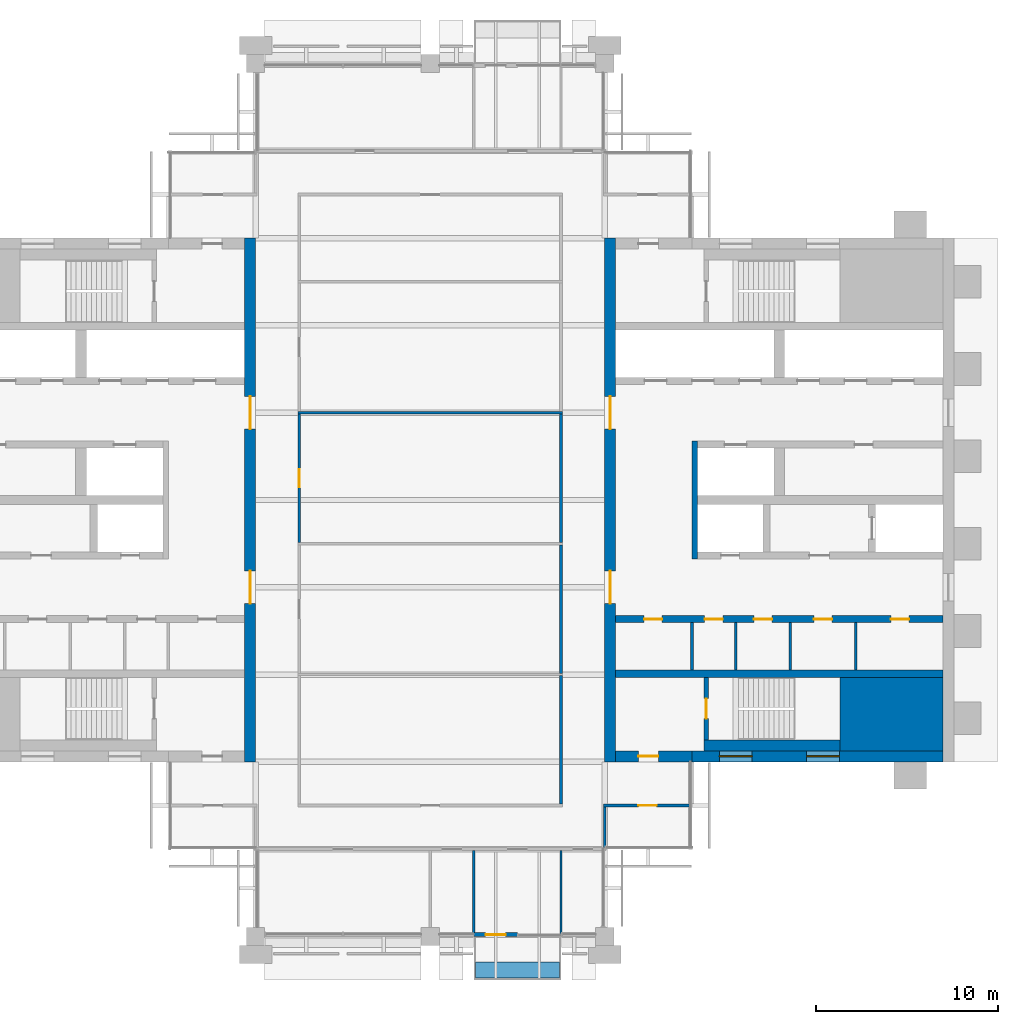
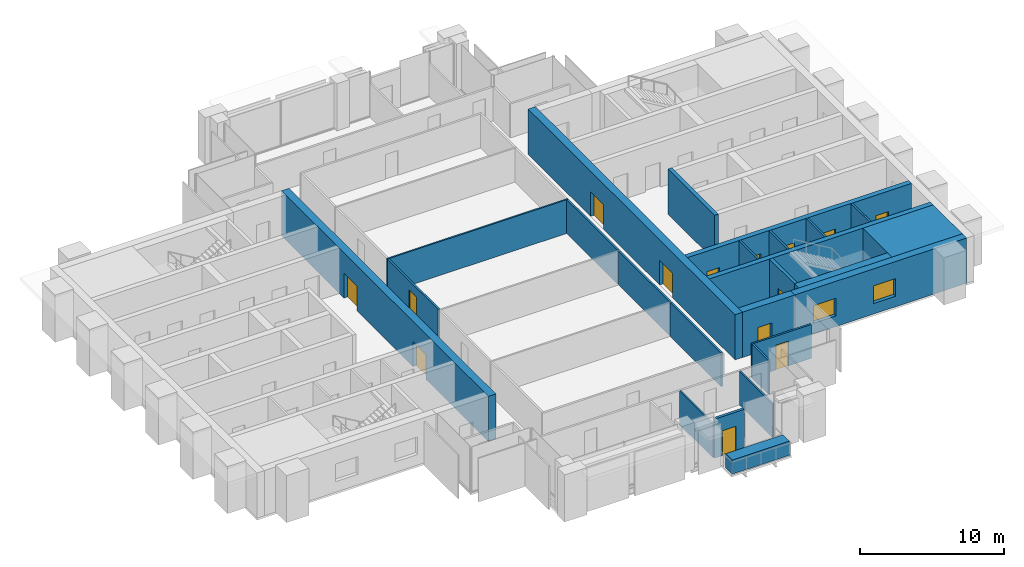
# One storey, part 9 of 13: 25 walls, 14 doors, 2 windows, 16 openings.
"""IFC4 building model written with IfcOpenShell, lengths in metres."""

from ifc_helpers import new_model, si_unit, direction, frame, frame_2d, origin, place, context, subcontext, project, spatial, rectangle, extrude, material, layer, layer_set, type_object, element, fill, save


model = new_model("IFC4")

# Units and contexts
model_context = context("Model", 3, precision=1e-05, world=origin(), true_north=direction((0.0, 1.0)))
body_context = subcontext(model_context, "Body", "Model", "MODEL_VIEW")
ifc_project = project(units=[si_unit("LENGTHUNIT", "METRE"), si_unit("AREAUNIT", "SQUARE_METRE"), si_unit("VOLUMEUNIT", "CUBIC_METRE"), si_unit("PLANEANGLEUNIT", "RADIAN"), si_unit("MASSUNIT", "GRAM", prefix="KILO")], contexts=[model_context])

# Site, building, storey
site_placement = place(None, origin())
site = spatial("IfcSite", under=ifc_project, at=site_placement, CompositionType="ELEMENT")
building_placement = place(site_placement, origin())
building = spatial("IfcBuilding", under=site, at=building_placement, Name="Baori Bourse Tower", CompositionType="ELEMENT")
storey_placement = place(building_placement, frame((0.0, 0.0, 326.300048828125)))
storey = spatial("IfcBuildingStorey", under=building, at=storey_placement, Name="L72", CompositionType="ELEMENT", Elevation=326.300048828125)

# Walls
ifc_material_1 = material(Name="Concrete f'c 40 MPa", Category="concrete")
wall_type_1 = type_object("IfcWallType", Name="Core corner block f'c 40", PredefinedType="SHEAR", material=ifc_material_1)
wall_1_placement = place(storey_placement, frame((51.35009765625, 12.22509765625, 0.0), z_axis=(0.0, 0.0, 1.0), x_axis=(1.0, 0.0, 0.0)))
element("IfcWall", 1, at=wall_1_placement, inside=storey, type_object=wall_type_1, Name="Core wall E05", PredefinedType="SHEAR", context=body_context, shape_type="SweptSolid", body=[
    extrude(rectangle(XDim=5.64990234375, YDim=4.050048828125, at=frame_2d((2.824951171875, 0.0))), origin(), (0.0, 0.0, 1.0), 3.83984375),
])
ifc_material_2 = material(Name="Blockwork partition", Category="masonry")
ifc_layer_1 = layer(ifc_material_2, 0.14990234375)
ifc_layer_set_1 = layer_set([ifc_layer_1], Name="Core partition 150")
wall_type_2 = type_object("IfcWallType", Name="Core partition 150", PredefinedType="PARTITIONING", material=ifc_layer_set_1)
for number, where, z_axis, x_axis, name in (
    (2, (52.199951171875, 14.64990234375, 0.0), (0.0, 0.0, 1.0), (0.0, 1.0, 0.0), "Partition wall E09"),
    (3, (48.60009765625, 14.64990234375, 0.0), (0.0, 0.0, 1.0), (0.0, 1.0, 0.0), "Partition wall E10"),
    (4, (45.60009765625, 14.64990234375, 0.0), (0.0, 0.0, 1.0), (0.0, 1.0, 0.0), "Partition wall E11"),
    (5, (43.199951171875, 14.64990234375, 0.0), (0.0, 0.0, 1.0), (0.0, 1.0, 0.0), "Partition wall E12"),
):
    element("IfcWall", number, at=place(storey_placement, frame(where, z_axis=z_axis, x_axis=x_axis)), inside=storey, type_object=wall_type_2, Name=name, PredefinedType="PARTITIONING", context=body_context, shape_type="SweptSolid", body=[
        extrude(rectangle(XDim=2.60009765625, YDim=0.14990234375, at=frame_2d((1.300048828125, 0.0))), origin(), (0.0, 0.0, 1.0), 3.83984375),
    ])

# Wall, openings, doors
ifc_material_3 = material(Name="Concrete f'c 40 MPa", Category="concrete")
ifc_layer_2 = layer(ifc_material_3, 0.60009765625)
ifc_layer_set_2 = layer_set([ifc_layer_2], Name="Core wall 600 f'c 40")
wall_type_3 = type_object("IfcWallType", Name="Core wall 600 f'c 40", PredefinedType="SHEAR", material=ifc_layer_set_2)
wall_2_placement = place(storey_placement, frame((18.89990234375, 38.39990234375, 0.0), z_axis=(0.0, 0.0, 1.0), x_axis=(0.0, -1.0, 0.0)))
wall_2 = element("IfcWall", 6, at=wall_2_placement, inside=storey, type_object=wall_type_3, Name="Core wall W04", PredefinedType="SHEAR", context=body_context, shape_type="SweptSolid", body=[
    extrude(rectangle(XDim=28.7998046875, YDim=0.60009765625, at=frame_2d((14.39990234375, 0.0))), origin(), (0.0, 0.0, 1.0), 3.83984375),
])
opening_1_placement = place(wall_2_placement, frame((18.300048828125, 0.0, 0.0)))
opening_1 = element("IfcOpeningElement", 7, at=opening_1_placement, cuts=wall_2, Name="Opening L72-D107", PredefinedType="OPENING", context=body_context, shape_type="SweptSolid", body=[
    extrude(rectangle(XDim=1.800048828125, YDim=2.10009765625, at=frame_2d((0.89990234375, 1.050048828125))), frame((0.0, 0.31005859375, 0.0), z_axis=(0.0, -1.0, 0.0), x_axis=(1.0, 0.0, 0.0)), (0.0, 0.0, 1.0), 0.6201171875),
])
opening_2_placement = place(wall_2_placement, frame((8.699951171875, 0.0, 0.0)))
opening_2 = element("IfcOpeningElement", 8, at=opening_2_placement, cuts=wall_2, Name="Opening L72-D108", PredefinedType="OPENING", context=body_context, shape_type="SweptSolid", body=[
    extrude(rectangle(XDim=1.800048828125, YDim=2.10009765625, at=frame_2d((0.89990234375, 1.050048828125))), frame((0.0, 0.31005859375, 0.0), z_axis=(0.0, -1.0, 0.0), x_axis=(1.0, 0.0, 0.0)), (0.0, 0.0, 1.0), 0.6201171875),
])
ifc_material_4 = material(Name="Painted steel door", Category="steel")
door_type_1 = type_object("IfcDoorType", Name="Core lobby door 1800", OperationType="DOUBLE_DOOR_SINGLE_SWING", PredefinedType="DOOR", material=ifc_material_4)
door_1_placement = place(opening_1_placement, origin())
door_1 = element("IfcDoor", 9, at=door_1_placement, inside=storey, type_object=door_type_1, Name="Lobby door W L72", OperationType="DOUBLE_DOOR_SINGLE_SWING", OverallHeight=2.10009765625, OverallWidth=1.800048828125, PredefinedType="DOOR", context=body_context, shape_type="SweptSolid", body=[
    extrude(rectangle(XDim=1.800048828125, YDim=2.10009765625, at=frame_2d((0.89990234375, 1.050048828125))), frame((0.0, 0.02490234375, 0.0), z_axis=(0.0, -1.0, 0.0), x_axis=(1.0, 0.0, 0.0)), (0.0, 0.0, 1.0), 0.050048828125),
])
fill(opening_1, door_1)
door_2_placement = place(opening_2_placement, origin())
door_2 = element("IfcDoor", 10, at=door_2_placement, inside=storey, type_object=door_type_1, Name="Lobby door W L72", OperationType="DOUBLE_DOOR_SINGLE_SWING", OverallHeight=2.10009765625, OverallWidth=1.800048828125, PredefinedType="DOOR", context=body_context, shape_type="SweptSolid", body=[
    extrude(rectangle(XDim=1.800048828125, YDim=2.10009765625, at=frame_2d((0.89990234375, 1.050048828125))), frame((0.0, 0.02490234375, 0.0), z_axis=(0.0, -1.0, 0.0), x_axis=(1.0, 0.0, 0.0)), (0.0, 0.0, 1.0), 0.050048828125),
])
fill(opening_2, door_2)

# Wall, openings, windows
wall_3_placement = place(storey_placement, frame((57.0, 9.89990234375, 0.0), z_axis=(0.0, 0.0, 1.0), x_axis=(-1.0, 0.0, 0.0)))
wall_3 = element("IfcWall", 11, at=wall_3_placement, inside=storey, type_object=wall_type_3, Name="Core wall E02", PredefinedType="SHEAR", context=body_context, shape_type="SweptSolid", body=[
    extrude(rectangle(XDim=13.800048828125, YDim=0.60009765625, at=frame_2d((6.89990234375, 0.0))), origin(), (0.0, 0.0, 1.0), 3.83984375),
])
opening_3_placement = place(wall_3_placement, frame((5.699951171875, 0.0, 0.89990234375)))
opening_3 = element("IfcOpeningElement", 12, at=opening_3_placement, cuts=wall_3, Name="Opening L72-KW203", PredefinedType="OPENING", context=body_context, shape_type="SweptSolid", body=[
    extrude(rectangle(XDim=1.800048828125, YDim=1.5, at=frame_2d((0.89990234375, 0.75))), frame((0.0, 0.31005859375, 0.0), z_axis=(0.0, -1.0, 0.0), x_axis=(1.0, 0.0, 0.0)), (0.0, 0.0, 1.0), 0.6201171875),
])
opening_4_placement = place(wall_3_placement, frame((10.5, 0.0, 0.89990234375)))
opening_4 = element("IfcOpeningElement", 13, at=opening_4_placement, cuts=wall_3, Name="Opening L72-KW204", PredefinedType="OPENING", context=body_context, shape_type="SweptSolid", body=[
    extrude(rectangle(XDim=1.800048828125, YDim=1.5, at=frame_2d((0.89990234375, 0.75))), frame((0.0, 0.31005859375, 0.0), z_axis=(0.0, -1.0, 0.0), x_axis=(1.0, 0.0, 0.0)), (0.0, 0.0, 1.0), 0.6201171875),
])
ifc_material_5 = material(Name="Pale anodised aluminium", Category="aluminium")
window_type = type_object("IfcWindowType", Name="Stair window 1800 x 1500", PartitioningType="SINGLE_PANEL", PredefinedType="WINDOW", material=ifc_material_5)
window_1_placement = place(opening_3_placement, origin())
window_1 = element("IfcWindow", 14, at=window_1_placement, inside=storey, type_object=window_type, Name="Stair window E L72 3", OverallHeight=1.5, OverallWidth=1.800048828125, PartitioningType="SINGLE_PANEL", PredefinedType="WINDOW", context=body_context, shape_type="SweptSolid", body=[
    extrude(rectangle(XDim=1.800048828125, YDim=1.5, at=frame_2d((0.89990234375, 0.75))), frame((0.0, 0.030029296875, 0.0), z_axis=(0.0, -1.0, 0.0), x_axis=(1.0, 0.0, 0.0)), (0.0, 0.0, 1.0), 0.06005859375),
])
fill(opening_3, window_1)
window_2_placement = place(opening_4_placement, origin())
window_2 = element("IfcWindow", 15, at=window_2_placement, inside=storey, type_object=window_type, Name="Stair window E L72 4", OverallHeight=1.5, OverallWidth=1.800048828125, PartitioningType="SINGLE_PANEL", PredefinedType="WINDOW", context=body_context, shape_type="SweptSolid", body=[
    extrude(rectangle(XDim=1.800048828125, YDim=1.5, at=frame_2d((0.89990234375, 0.75))), frame((0.0, 0.030029296875, 0.0), z_axis=(0.0, -1.0, 0.0), x_axis=(1.0, 0.0, 0.0)), (0.0, 0.0, 1.0), 0.06005859375),
])
fill(opening_4, window_2)

# Wall, opening, door
wall_4_placement = place(storey_placement, frame((43.199951171875, 9.89990234375, 0.0), z_axis=(0.0, 0.0, 1.0), x_axis=(-1.0, 0.0, 0.0)))
wall_4 = element("IfcWall", 16, at=wall_4_placement, inside=storey, type_object=wall_type_3, Name="Core wall E03", PredefinedType="SHEAR", context=body_context, shape_type="SweptSolid", body=[
    extrude(rectangle(XDim=4.199951171875, YDim=0.60009765625, at=frame_2d((2.10009765625, 0.0))), origin(), (0.0, 0.0, 1.0), 3.83984375),
])
opening_5_placement = place(wall_4_placement, frame((1.85009765625, 0.0, 0.0)))
opening_5 = element("IfcOpeningElement", 17, at=opening_5_placement, cuts=wall_4, Name="Opening L72-D202", PredefinedType="OPENING", context=body_context, shape_type="SweptSolid", body=[
    extrude(rectangle(XDim=1.10009765625, YDim=2.10009765625, at=frame_2d((0.550048828125, 1.050048828125))), frame((0.0, 0.31005859375, 0.0), z_axis=(0.0, -1.0, 0.0), x_axis=(1.0, 0.0, 0.0)), (0.0, 0.0, 1.0), 0.6201171875),
])
ifc_material_6 = material(Name="Painted steel door", Category="steel")
door_type_2 = type_object("IfcDoorType", Name="Stair door 1100", OperationType="SINGLE_SWING_LEFT", PredefinedType="DOOR", material=ifc_material_6)
door_3_placement = place(opening_5_placement, origin())
door_3 = element("IfcDoor", 18, at=door_3_placement, inside=storey, type_object=door_type_2, Name="Stair vestibule door A E L72", OperationType="SINGLE_SWING_LEFT", OverallHeight=2.10009765625, OverallWidth=1.10009765625, PredefinedType="DOOR", context=body_context, shape_type="SweptSolid", body=[
    extrude(rectangle(XDim=1.10009765625, YDim=2.10009765625, at=frame_2d((0.550048828125, 1.050048828125))), frame((0.0, 0.02490234375, 0.0), z_axis=(0.0, -1.0, 0.0), x_axis=(1.0, 0.0, 0.0)), (0.0, 0.0, 1.0), 0.050048828125),
])
fill(opening_5, door_3)

# Wall, openings, doors
wall_5_placement = place(storey_placement, frame((38.699951171875, 9.60009765625, 0.0), z_axis=(0.0, 0.0, 1.0), x_axis=(0.0, 1.0, 0.0)))
wall_5 = element("IfcWall", 19, at=wall_5_placement, inside=storey, type_object=wall_type_3, Name="Core wall E04", PredefinedType="SHEAR", context=body_context, shape_type="SweptSolid", body=[
    extrude(rectangle(XDim=28.7998046875, YDim=0.60009765625, at=frame_2d((14.39990234375, 0.0))), origin(), (0.0, 0.0, 1.0), 3.83984375),
])
opening_6_placement = place(wall_5_placement, frame((8.699951171875, 0.0, 0.0)))
opening_6 = element("IfcOpeningElement", 20, at=opening_6_placement, cuts=wall_5, Name="Opening L72-D207", PredefinedType="OPENING", context=body_context, shape_type="SweptSolid", body=[
    extrude(rectangle(XDim=1.800048828125, YDim=2.10009765625, at=frame_2d((0.89990234375, 1.050048828125))), frame((0.0, 0.31005859375, 0.0), z_axis=(0.0, -1.0, 0.0), x_axis=(1.0, 0.0, 0.0)), (0.0, 0.0, 1.0), 0.6201171875),
])
opening_7_placement = place(wall_5_placement, frame((18.300048828125, 0.0, 0.0)))
opening_7 = element("IfcOpeningElement", 21, at=opening_7_placement, cuts=wall_5, Name="Opening L72-D208", PredefinedType="OPENING", context=body_context, shape_type="SweptSolid", body=[
    extrude(rectangle(XDim=1.800048828125, YDim=2.10009765625, at=frame_2d((0.89990234375, 1.050048828125))), frame((0.0, 0.31005859375, 0.0), z_axis=(0.0, -1.0, 0.0), x_axis=(1.0, 0.0, 0.0)), (0.0, 0.0, 1.0), 0.6201171875),
])
door_4_placement = place(opening_6_placement, origin())
door_4 = element("IfcDoor", 22, at=door_4_placement, inside=storey, type_object=door_type_1, Name="Lobby door E L72", OperationType="DOUBLE_DOOR_SINGLE_SWING", OverallHeight=2.10009765625, OverallWidth=1.800048828125, PredefinedType="DOOR", context=body_context, shape_type="SweptSolid", body=[
    extrude(rectangle(XDim=1.800048828125, YDim=2.10009765625, at=frame_2d((0.89990234375, 1.050048828125))), frame((0.0, 0.02490234375, 0.0), z_axis=(0.0, -1.0, 0.0), x_axis=(1.0, 0.0, 0.0)), (0.0, 0.0, 1.0), 0.050048828125),
])
fill(opening_6, door_4)
door_5_placement = place(opening_7_placement, origin())
door_5 = element("IfcDoor", 23, at=door_5_placement, inside=storey, type_object=door_type_1, Name="Lobby door E L72", OperationType="DOUBLE_DOOR_SINGLE_SWING", OverallHeight=2.10009765625, OverallWidth=1.800048828125, PredefinedType="DOOR", context=body_context, shape_type="SweptSolid", body=[
    extrude(rectangle(XDim=1.800048828125, YDim=2.10009765625, at=frame_2d((0.89990234375, 1.050048828125))), frame((0.0, 0.02490234375, 0.0), z_axis=(0.0, -1.0, 0.0), x_axis=(1.0, 0.0, 0.0)), (0.0, 0.0, 1.0), 0.050048828125),
])
fill(opening_7, door_5)

# Wall, opening, door
ifc_material_7 = material(Name="Gypsum board partition")
ifc_layer_3 = layer(ifc_material_7, 0.14990234375)
ifc_layer_set_3 = layer_set([ifc_layer_3], Name="Corridor partition 150")
wall_type_4 = type_object("IfcWallType", Name="Corridor partition 150", PredefinedType="PARTITIONING", material=ifc_layer_set_3)
wall_6_placement = place(storey_placement, frame((38.324951171875, 7.199951171875, 0.0), z_axis=(0.0, 0.0, 1.0), x_axis=(1.0, 0.0, 0.0)))
wall_6 = element("IfcWall", 24, at=wall_6_placement, inside=storey, type_object=wall_type_4, Name="Partition", PredefinedType="PARTITIONING", context=body_context, shape_type="SweptSolid", body=[
    extrude(rectangle(XDim=4.775146484375, YDim=0.14990234375, at=frame_2d((2.3876953125, 0.0))), origin(), (0.0, 0.0, 1.0), 2.86962890625),
])
opening_8_placement = place(wall_6_placement, frame((1.925048828125, 0.0, 0.0)))
opening_8 = element("IfcOpeningElement", 25, at=opening_8_placement, cuts=wall_6, Name="Opening L72-D07", PredefinedType="OPENING", context=body_context, shape_type="SweptSolid", body=[
    extrude(rectangle(XDim=1.0, YDim=2.10009765625, at=frame_2d((0.5, 1.050048828125))), frame((0.0, 0.0849609375, 0.0), z_axis=(0.0, -1.0, 0.0), x_axis=(1.0, 0.0, 0.0)), (0.0, 0.0, 1.0), 0.169921875),
])
ifc_material_8 = material(Name="Timber door leaf", Category="wood")
door_type_3 = type_object("IfcDoorType", Name="Door 1000 x 2100", OperationType="SINGLE_SWING_LEFT", PredefinedType="DOOR", material=ifc_material_8)
door_6_placement = place(opening_8_placement, origin())
door_6 = element("IfcDoor", 26, at=door_6_placement, inside=storey, type_object=door_type_3, Name="Door", OperationType="SINGLE_SWING_RIGHT", OverallHeight=2.10009765625, OverallWidth=1.0, PredefinedType="DOOR", context=body_context, shape_type="SweptSolid", body=[
    extrude(rectangle(XDim=1.0, YDim=2.10009765625, at=frame_2d((0.5, 1.050048828125))), frame((0.0, 0.02490234375, 0.0), z_axis=(0.0, -1.0, 0.0), x_axis=(1.0, 0.0, 0.0)), (0.0, 0.0, 1.0), 0.050048828125),
])
fill(opening_8, door_6)

wall_7_placement = place(storey_placement, frame((21.60009765625, 21.66259765625, 0.0), z_axis=(0.0, 0.0, 1.0), x_axis=(0.0, 1.0, 0.0)))
wall_7 = element("IfcWall", 27, at=wall_7_placement, inside=storey, type_object=wall_type_4, Name="Partition", PredefinedType="PARTITIONING", context=body_context, shape_type="SweptSolid", body=[
    extrude(rectangle(XDim=7.074951171875, YDim=0.14990234375, at=frame_2d((3.53759765625, 0.0))), origin(), (0.0, 0.0, 1.0), 2.86962890625),
])
opening_9_placement = place(wall_7_placement, frame((3.03759765625, 0.0, 0.0)))
opening_9 = element("IfcOpeningElement", 28, at=opening_9_placement, cuts=wall_7, Name="Opening L72-D15", PredefinedType="OPENING", context=body_context, shape_type="SweptSolid", body=[
    extrude(rectangle(XDim=1.0, YDim=2.10009765625, at=frame_2d((0.5, 1.050048828125))), frame((0.0, 0.0849609375, 0.0), z_axis=(0.0, -1.0, 0.0), x_axis=(1.0, 0.0, 0.0)), (0.0, 0.0, 1.0), 0.169921875),
])
door_7_placement = place(opening_9_placement, origin())
door_7 = element("IfcDoor", 29, at=door_7_placement, inside=storey, type_object=door_type_3, Name="Door", OperationType="SINGLE_SWING_LEFT", OverallHeight=2.10009765625, OverallWidth=1.0, PredefinedType="DOOR", context=body_context, shape_type="SweptSolid", body=[
    extrude(rectangle(XDim=1.0, YDim=2.10009765625, at=frame_2d((0.5, 1.050048828125))), frame((0.0, 0.02490234375, 0.0), z_axis=(0.0, -1.0, 0.0), x_axis=(1.0, 0.0, 0.0)), (0.0, 0.0, 1.0), 0.050048828125),
])
fill(opening_9, door_7)

# Walls
wall_8_placement = place(storey_placement, frame((36.0, 7.27490234375, 0.0), z_axis=(0.0, 0.0, 1.0), x_axis=(0.0, 1.0, 0.0)))
element("IfcWall", 30, at=wall_8_placement, inside=storey, type_object=wall_type_4, Name="Partition", PredefinedType="PARTITIONING", context=body_context, shape_type="SweptSolid", body=[
    extrude(rectangle(XDim=7.0625, YDim=0.14990234375, at=frame_2d((3.53125, 0.0))), origin(), (0.0, 0.0, 1.0), 2.86962890625),
])
wall_9_placement = place(storey_placement, frame((36.0, 14.46240234375, 0.0), z_axis=(0.0, 0.0, 1.0), x_axis=(0.0, 1.0, 0.0)))
element("IfcWall", 31, at=wall_9_placement, inside=storey, type_object=wall_type_4, Name="Partition", PredefinedType="PARTITIONING", context=body_context, shape_type="SweptSolid", body=[
    extrude(rectangle(XDim=7.0751953125, YDim=0.14990234375, at=frame_2d((3.53759765625, 0.0))), origin(), (0.0, 0.0, 1.0), 2.86962890625),
])
wall_10_placement = place(storey_placement, frame((36.0, 21.66259765625, 0.0), z_axis=(0.0, 0.0, 1.0), x_axis=(0.0, 1.0, 0.0)))
element("IfcWall", 32, at=wall_10_placement, inside=storey, type_object=wall_type_4, Name="Partition", PredefinedType="PARTITIONING", context=body_context, shape_type="SweptSolid", body=[
    extrude(rectangle(XDim=7.074951171875, YDim=0.14990234375, at=frame_2d((3.53759765625, 0.0))), origin(), (0.0, 0.0, 1.0), 2.86962890625),
])
wall_11_placement = place(storey_placement, frame((38.39990234375, 4.875, 0.0), z_axis=(0.0, 0.0, 1.0), x_axis=(0.0, 1.0, 0.0)))
element("IfcWall", 33, at=wall_11_placement, inside=storey, type_object=wall_type_4, Name="Partition", PredefinedType="PARTITIONING", context=body_context, shape_type="SweptSolid", body=[
    extrude(rectangle(XDim=2.25, YDim=0.14990234375, at=frame_2d((1.125, 0.0))), origin(), (0.0, 0.0, 1.0), 2.86962890625),
])

# Wall, opening, door
ifc_material_9 = material(Name="Pale anodised aluminium", Category="aluminium")
ifc_layer_4 = layer(ifc_material_9, 0.199951171875)
ifc_layer_set_4 = layer_set([ifc_layer_4], Name="EW1 External wall bay")
wall_type_5 = type_object("IfcWallType", Name="EW1 External wall bay", PredefinedType="SOLIDWALL", material=ifc_layer_set_4)
wall_12_placement = place(storey_placement, frame((31.199951171875, 0.10009765625, 0.0), z_axis=(0.0, 0.0, 1.0), x_axis=(1.0, 0.0, 0.0)))
wall_12 = element("IfcWall", 34, at=wall_12_placement, inside=storey, type_object=wall_type_5, Name="External wall bay L72 2", PredefinedType="SOLIDWALL", context=body_context, shape_type="SweptSolid", body=[
    extrude(rectangle(XDim=2.400146484375, YDim=0.199951171875, at=frame_2d((1.2001953125, 0.0))), origin(), (0.0, 0.0, 1.0), 3.314208984375),
])
opening_10_placement = place(wall_12_placement, frame((0.64990234375, 0.0, 0.0)))
opening_10 = element("IfcOpeningElement", 35, at=opening_10_placement, cuts=wall_12, Name="Opening L72-D92", PredefinedType="OPENING", context=body_context, shape_type="SweptSolid", body=[
    extrude(rectangle(XDim=1.10009765625, YDim=2.10009765625, at=frame_2d((0.550048828125, 1.050048828125))), frame((0.0, 0.10986328125, 0.0), z_axis=(0.0, -1.0, 0.0), x_axis=(1.0, 0.0, 0.0)), (0.0, 0.0, 1.0), 0.219970703125),
])
ifc_material_10 = material(Name="Pale anodised aluminium", Category="aluminium")
door_type_4 = type_object("IfcDoorType", Name="BL1 Balcony door", OperationType="SINGLE_SWING_LEFT", PredefinedType="DOOR", material=ifc_material_10)
door_8_placement = place(opening_10_placement, origin())
door_8 = element("IfcDoor", 36, at=door_8_placement, inside=storey, type_object=door_type_4, Name="Balcony door L72 2", OperationType="SINGLE_SWING_LEFT", OverallHeight=2.10009765625, OverallWidth=1.10009765625, PredefinedType="DOOR", context=body_context, shape_type="SweptSolid", body=[
    extrude(rectangle(XDim=1.10009765625, YDim=2.10009765625, at=frame_2d((0.550048828125, 1.050048828125))), frame((0.0, 0.02490234375, 0.0), z_axis=(0.0, -1.0, 0.0), x_axis=(1.0, 0.0, 0.0)), (0.0, 0.0, 1.0), 0.050048828125),
])
fill(opening_10, door_8)

# Walls
ifc_material_11 = material(Name="Concrete f'c 40 MPa", Category="concrete")
ifc_layer_5 = layer(ifc_material_11, 0.89990234375)
ifc_layer_set_5 = layer_set([ifc_layer_5], Name="PW1 Planter wall")
wall_type_6 = type_object("IfcWallType", Name="PW1 Planter wall", PredefinedType="USERDEFINED", material=ifc_layer_set_5)
wall_13_placement = place(storey_placement, frame((31.300048828125, -1.85009765625, 0.0), z_axis=(0.0, 0.0, 1.0), x_axis=(1.0, 0.0, 0.0)))
element("IfcWall", 37, at=wall_13_placement, inside=storey, type_object=wall_type_6, Name="Planter balcony S L72 1", ObjectType="PLANTER", PredefinedType="USERDEFINED", context=body_context, shape_type="SweptSolid", body=[
    extrude(rectangle(XDim=4.599853515625, YDim=0.89990234375, at=frame_2d((2.2998046875, 0.0))), origin(), (0.0, 0.0, 1.0), 1.199951171875),
])
ifc_material_12 = material(Name="Gypsum board partition")
ifc_layer_6 = layer(ifc_material_12, 0.125)
ifc_layer_set_6 = layer_set([ifc_layer_6], Name="Partition 125")
wall_type_7 = type_object("IfcWallType", Name="Partition 125", PredefinedType="PARTITIONING", material=ifc_layer_set_6)
wall_14_placement = place(storey_placement, frame((21.52490234375, 28.800048828125, 0.0), z_axis=(0.0, 0.0, 1.0), x_axis=(1.0, 0.0, 0.0)))
element("IfcWall", 38, at=wall_14_placement, inside=storey, type_object=wall_type_7, Name="Partition", PredefinedType="PARTITIONING", context=body_context, shape_type="SweptSolid", body=[
    extrude(rectangle(XDim=14.550048828125, YDim=0.125, at=frame_2d((7.27490234375, 0.0))), origin(), (0.0, 0.0, 1.0), 2.86962890625),
])
for number, where, z_axis, x_axis, name in (
    (39, (31.199951171875, 0.10009765625, 0.0), (0.0, 0.0, 1.0), (0.0, 1.0, 0.0), "Partition"),
    (40, (36.0, 0.10009765625, 0.0), (0.0, 0.0, 1.0), (0.0, 1.0, 0.0), "Partition"),
):
    element("IfcWall", number, at=place(storey_placement, frame(where, z_axis=z_axis, x_axis=x_axis)), inside=storey, type_object=wall_type_7, Name=name, PredefinedType="PARTITIONING", context=body_context, shape_type="SweptSolid", body=[
        extrude(rectangle(XDim=4.625, YDim=0.125, at=frame_2d((2.3125, 0.0))), origin(), (0.0, 0.0, 1.0), 2.86962890625),
    ])

# Wall, opening, door
ifc_material_13 = material(Name="Concrete f'c 40 MPa", Category="concrete")
ifc_layer_7 = layer(ifc_material_13, 0.25)
ifc_layer_set_7 = layer_set([ifc_layer_7], Name="Shaft wall 250 f'c 40")
wall_type_8 = type_object("IfcWallType", Name="Shaft wall 250 f'c 40", PredefinedType="SHEAR", material=ifc_layer_set_7)
wall_15_placement = place(storey_placement, frame((43.97509765625, 10.800048828125, 0.0), z_axis=(0.0, 0.0, 1.0), x_axis=(0.0, 1.0, 0.0)))
wall_15 = element("IfcWall", 41, at=wall_15_placement, inside=storey, type_object=wall_type_8, Name="Core wall E07", PredefinedType="SHEAR", context=body_context, shape_type="SweptSolid", body=[
    extrude(rectangle(XDim=3.449951171875, YDim=0.25, at=frame_2d((1.72509765625, 0.0))), origin(), (0.0, 0.0, 1.0), 3.83984375),
])
opening_11_placement = place(wall_15_placement, frame((1.175048828125, 0.0, 0.0)))
opening_11 = element("IfcOpeningElement", 42, at=opening_11_placement, cuts=wall_15, Name="Opening L72-D201", PredefinedType="OPENING", context=body_context, shape_type="SweptSolid", body=[
    extrude(rectangle(XDim=1.10009765625, YDim=2.10009765625, at=frame_2d((0.550048828125, 1.050048828125))), frame((0.0, 0.135009765625, 0.0), z_axis=(0.0, -1.0, 0.0), x_axis=(1.0, 0.0, 0.0)), (0.0, 0.0, 1.0), 0.27001953125),
])
door_9_placement = place(opening_11_placement, origin())
door_9 = element("IfcDoor", 43, at=door_9_placement, inside=storey, type_object=door_type_2, Name="Stair door A E L72", OperationType="SINGLE_SWING_LEFT", OverallHeight=2.10009765625, OverallWidth=1.10009765625, PredefinedType="DOOR", context=body_context, shape_type="SweptSolid", body=[
    extrude(rectangle(XDim=1.10009765625, YDim=2.10009765625, at=frame_2d((0.550048828125, 1.050048828125))), frame((0.0, 0.02490234375, 0.0), z_axis=(0.0, -1.0, 0.0), x_axis=(1.0, 0.0, 0.0)), (0.0, 0.0, 1.0), 0.050048828125),
])
fill(opening_11, door_9)

# Walls
ifc_material_14 = material(Name="Concrete f'c 40 MPa", Category="concrete")
ifc_layer_8 = layer(ifc_material_14, 0.300048828125)
ifc_layer_set_8 = layer_set([ifc_layer_8], Name="Shaft wall 300 f'c 40")
wall_type_9 = type_object("IfcWallType", Name="Shaft wall 300 f'c 40", PredefinedType="SHEAR", material=ifc_layer_set_8)
wall_16_placement = place(storey_placement, frame((43.35009765625, 20.75, 0.0), z_axis=(0.0, 0.0, 1.0), x_axis=(0.0, 1.0, 0.0)))
element("IfcWall", 44, at=wall_16_placement, inside=storey, type_object=wall_type_9, Name="Core wall E15", PredefinedType="SHEAR", context=body_context, shape_type="SweptSolid", body=[
    extrude(rectangle(XDim=6.5, YDim=0.300048828125, at=frame_2d((3.25, 0.0))), origin(), (0.0, 0.0, 1.0), 3.83984375),
])
ifc_material_15 = material(Name="Concrete f'c 40 MPa", Category="concrete")
ifc_layer_9 = layer(ifc_material_15, 0.39990234375)
ifc_layer_set_9 = layer_set([ifc_layer_9], Name="Shaft wall 400 f'c 40")
wall_type_10 = type_object("IfcWallType", Name="Shaft wall 400 f'c 40", PredefinedType="SHEAR", material=ifc_layer_set_9)
wall_17_placement = place(storey_placement, frame((39.0, 14.449951171875, 0.0), z_axis=(0.0, 0.0, 1.0), x_axis=(1.0, 0.0, 0.0)))
element("IfcWall", 45, at=wall_17_placement, inside=storey, type_object=wall_type_10, Name="Core wall E08", PredefinedType="SHEAR", context=body_context, shape_type="SweptSolid", body=[
    extrude(rectangle(XDim=18.0, YDim=0.39990234375, at=frame_2d((9.0, 0.0))), origin(), (0.0, 0.0, 1.0), 3.83984375),
])

# Wall, openings, doors
wall_18_placement = place(storey_placement, frame((39.0, 17.449951171875, 0.0), z_axis=(0.0, 0.0, 1.0), x_axis=(1.0, 0.0, 0.0)))
wall_18 = element("IfcWall", 46, at=wall_18_placement, inside=storey, type_object=wall_type_10, Name="Core wall E13", PredefinedType="SHEAR", context=body_context, shape_type="SweptSolid", body=[
    extrude(rectangle(XDim=18.0, YDim=0.39990234375, at=frame_2d((9.0, 0.0))), origin(), (0.0, 0.0, 1.0), 3.83984375),
])
opening_12_placement = place(wall_18_placement, frame((15.137451171875, 0.0, 0.0)))
opening_12 = element("IfcOpeningElement", 47, at=opening_12_placement, cuts=wall_18, Name="Opening L72-D209", PredefinedType="OPENING", context=body_context, shape_type="SweptSolid", body=[
    extrude(rectangle(XDim=1.0, YDim=2.10009765625, at=frame_2d((0.5, 1.050048828125))), frame((0.0, 0.2099609375, 0.0), z_axis=(0.0, -1.0, 0.0), x_axis=(1.0, 0.0, 0.0)), (0.0, 0.0, 1.0), 0.419921875),
])
opening_13_placement = place(wall_18_placement, frame((10.89990234375, 0.0, 0.0)))
opening_13 = element("IfcOpeningElement", 48, at=opening_13_placement, cuts=wall_18, Name="Opening L72-D210", PredefinedType="OPENING", context=body_context, shape_type="SweptSolid", body=[
    extrude(rectangle(XDim=1.0, YDim=2.10009765625, at=frame_2d((0.5, 1.050048828125))), frame((0.0, 0.2099609375, 0.0), z_axis=(0.0, -1.0, 0.0), x_axis=(1.0, 0.0, 0.0)), (0.0, 0.0, 1.0), 0.419921875),
])
opening_14_placement = place(wall_18_placement, frame((7.60009765625, 0.0, 0.0)))
opening_14 = element("IfcOpeningElement", 49, at=opening_14_placement, cuts=wall_18, Name="Opening L72-D211", PredefinedType="OPENING", context=body_context, shape_type="SweptSolid", body=[
    extrude(rectangle(XDim=1.0, YDim=2.10009765625, at=frame_2d((0.5, 1.050048828125))), frame((0.0, 0.2099609375, 0.0), z_axis=(0.0, -1.0, 0.0), x_axis=(1.0, 0.0, 0.0)), (0.0, 0.0, 1.0), 0.419921875),
])
opening_15_placement = place(wall_18_placement, frame((4.89990234375, 0.0, 0.0)))
opening_15 = element("IfcOpeningElement", 50, at=opening_15_placement, cuts=wall_18, Name="Opening L72-D212", PredefinedType="OPENING", context=body_context, shape_type="SweptSolid", body=[
    extrude(rectangle(XDim=1.0, YDim=2.10009765625, at=frame_2d((0.5, 1.050048828125))), frame((0.0, 0.2099609375, 0.0), z_axis=(0.0, -1.0, 0.0), x_axis=(1.0, 0.0, 0.0)), (0.0, 0.0, 1.0), 0.419921875),
])
opening_16_placement = place(wall_18_placement, frame((1.5625, 0.0, 0.0)))
opening_16 = element("IfcOpeningElement", 51, at=opening_16_placement, cuts=wall_18, Name="Opening L72-D213", PredefinedType="OPENING", context=body_context, shape_type="SweptSolid", body=[
    extrude(rectangle(XDim=1.0, YDim=2.10009765625, at=frame_2d((0.5, 1.050048828125))), frame((0.0, 0.2099609375, 0.0), z_axis=(0.0, -1.0, 0.0), x_axis=(1.0, 0.0, 0.0)), (0.0, 0.0, 1.0), 0.419921875),
])
ifc_material_16 = material(Name="Painted steel door", Category="steel")
door_type_5 = type_object("IfcDoorType", Name="Core door 1000", OperationType="SINGLE_SWING_LEFT", PredefinedType="DOOR", material=ifc_material_16)
door_10_placement = place(opening_12_placement, origin())
door_10 = element("IfcDoor", 52, at=door_10_placement, inside=storey, type_object=door_type_5, Name="Men'S Wc door E L72", OperationType="SINGLE_SWING_LEFT", OverallHeight=2.10009765625, OverallWidth=1.0, PredefinedType="DOOR", context=body_context, shape_type="SweptSolid", body=[
    extrude(rectangle(XDim=1.0, YDim=2.10009765625, at=frame_2d((0.5, 1.050048828125))), frame((0.0, 0.02490234375, 0.0), z_axis=(0.0, -1.0, 0.0), x_axis=(1.0, 0.0, 0.0)), (0.0, 0.0, 1.0), 0.050048828125),
])
fill(opening_12, door_10)
door_11_placement = place(opening_13_placement, origin())
door_11 = element("IfcDoor", 53, at=door_11_placement, inside=storey, type_object=door_type_5, Name="Women'S Wc door E L72", OperationType="SINGLE_SWING_LEFT", OverallHeight=2.10009765625, OverallWidth=1.0, PredefinedType="DOOR", context=body_context, shape_type="SweptSolid", body=[
    extrude(rectangle(XDim=1.0, YDim=2.10009765625, at=frame_2d((0.5, 1.050048828125))), frame((0.0, 0.02490234375, 0.0), z_axis=(0.0, -1.0, 0.0), x_axis=(1.0, 0.0, 0.0)), (0.0, 0.0, 1.0), 0.050048828125),
])
fill(opening_13, door_11)
door_12_placement = place(opening_15_placement, origin())
door_12 = element("IfcDoor", 54, at=door_12_placement, inside=storey, type_object=door_type_5, Name="Pantry door E L72", OperationType="SINGLE_SWING_LEFT", OverallHeight=2.10009765625, OverallWidth=1.0, PredefinedType="DOOR", context=body_context, shape_type="SweptSolid", body=[
    extrude(rectangle(XDim=1.0, YDim=2.10009765625, at=frame_2d((0.5, 1.050048828125))), frame((0.0, 0.02490234375, 0.0), z_axis=(0.0, -1.0, 0.0), x_axis=(1.0, 0.0, 0.0)), (0.0, 0.0, 1.0), 0.050048828125),
])
fill(opening_15, door_12)
door_13_placement = place(opening_16_placement, origin())
door_13 = element("IfcDoor", 55, at=door_13_placement, inside=storey, type_object=door_type_5, Name="Accessible Wc door E L72", OperationType="SINGLE_SWING_LEFT", OverallHeight=2.10009765625, OverallWidth=1.0, PredefinedType="DOOR", context=body_context, shape_type="SweptSolid", body=[
    extrude(rectangle(XDim=1.0, YDim=2.10009765625, at=frame_2d((0.5, 1.050048828125))), frame((0.0, 0.02490234375, 0.0), z_axis=(0.0, -1.0, 0.0), x_axis=(1.0, 0.0, 0.0)), (0.0, 0.0, 1.0), 0.050048828125),
])
fill(opening_16, door_13)
ifc_material_17 = material(Name="Painted steel door", Category="steel")
door_type_6 = type_object("IfcDoorType", Name="Plant room door 1000", OperationType="SINGLE_SWING_LEFT", PredefinedType="DOOR", material=ifc_material_17)
door_14_placement = place(opening_14_placement, origin())
door_14 = element("IfcDoor", 56, at=door_14_placement, inside=storey, type_object=door_type_6, Name="Electrical Room door E L72", OperationType="SINGLE_SWING_LEFT", OverallHeight=2.10009765625, OverallWidth=1.0, PredefinedType="DOOR", context=body_context, shape_type="SweptSolid", body=[
    extrude(rectangle(XDim=1.0, YDim=2.10009765625, at=frame_2d((0.5, 1.050048828125))), frame((0.0, 0.02490234375, 0.0), z_axis=(0.0, -1.0, 0.0), x_axis=(1.0, 0.0, 0.0)), (0.0, 0.0, 1.0), 0.050048828125),
])
fill(opening_14, door_14)

# Wall
ifc_material_18 = material(Name="Concrete f'c 40 MPa", Category="concrete")
ifc_layer_10 = layer(ifc_material_18, 0.60009765625)
ifc_layer_set_10 = layer_set([ifc_layer_10], Name="Shaft wall 600 f'c 40")
wall_type_11 = type_object("IfcWallType", Name="Shaft wall 600 f'c 40", PredefinedType="SHEAR", material=ifc_layer_set_10)
wall_19_placement = place(storey_placement, frame((43.85009765625, 10.5, 0.0), z_axis=(0.0, 0.0, 1.0), x_axis=(1.0, 0.0, 0.0)))
element("IfcWall", 57, at=wall_19_placement, inside=storey, type_object=wall_type_11, Name="Core wall E06", PredefinedType="SHEAR", context=body_context, shape_type="SweptSolid", body=[
    extrude(rectangle(XDim=7.5, YDim=0.60009765625, at=frame_2d((3.75, 0.0))), origin(), (0.0, 0.0, 1.0), 3.83984375),
])

save(model, "model.ifc")
